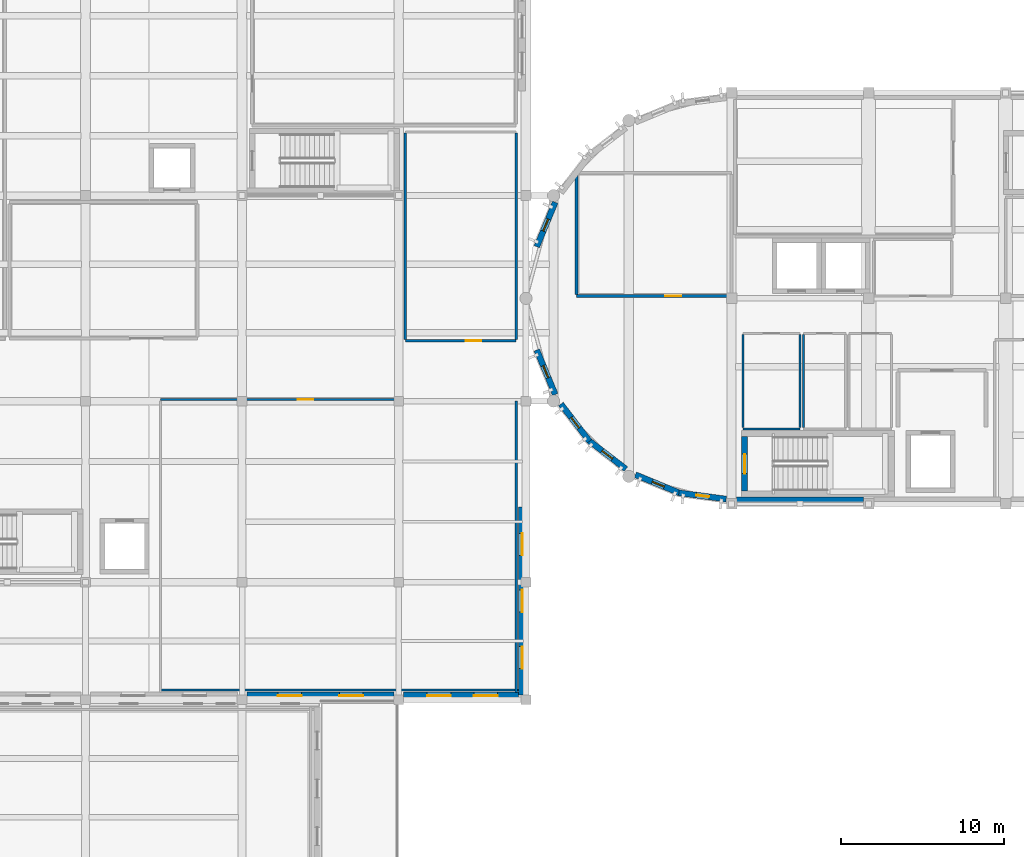
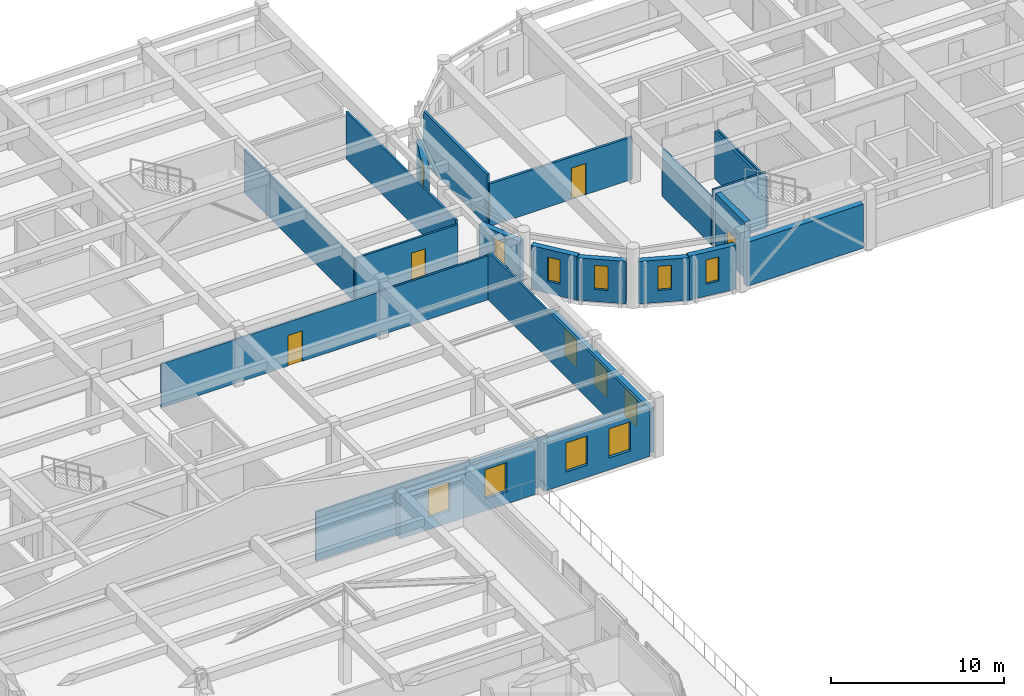
# One storey, part 13 of 31: 23 walls, 13 windows, 4 doors, 17 openings.
"""IFC4 building model written with IfcOpenShell, lengths in metres."""

from ifc_helpers import new_model, si_unit, direction, frame, frame_2d, origin, place, context, subcontext, project, spatial, rectangle, extrude, material, layer, layer_set, type_object, element, fill, save


model = new_model("IFC4")

# Units and contexts
model_context = context("Model", 3, precision=1e-05, world=origin(), true_north=direction((0.0, 1.0)))
body_context = subcontext(model_context, "Body", "Model", "MODEL_VIEW")
ifc_project = project(units=[si_unit("LENGTHUNIT", "METRE"), si_unit("AREAUNIT", "SQUARE_METRE"), si_unit("VOLUMEUNIT", "CUBIC_METRE"), si_unit("PLANEANGLEUNIT", "RADIAN"), si_unit("MASSUNIT", "GRAM", prefix="KILO")], contexts=[model_context])

# Site, building, storey
site_placement = place(None, origin())
site = spatial("IfcSite", under=ifc_project, at=site_placement, CompositionType="ELEMENT")
building_placement = place(site_placement, origin())
building = spatial("IfcBuilding", under=site, at=building_placement, Name="Tarnavel Promenade Courthouse", CompositionType="ELEMENT")
storey_placement = place(building_placement, frame((0.0, 0.0, 18.60009765625)))
storey = spatial("IfcBuildingStorey", under=building, at=storey_placement, Name="L05", CompositionType="ELEMENT", Elevation=18.60009765625)

# Wall, opening, door
ifc_material_1 = material(Name="Acoustic Insulated Gypsum Stud Partition", Category="gypsum")
ifc_layer_1 = layer(ifc_material_1, 0.1650390625)
ifc_layer_set_1 = layer_set([ifc_layer_1], Name="Acoustic Insulated Gypsum Stud Partition")
wall_type_1 = type_object("IfcWallType", Name="Acoustic Insulated Gypsum Stud Partition WL-CHM-165 (165 mm)", PredefinedType="PARTITIONING", material=ifc_layer_set_1)
wall_1_placement = place(storey_placement, frame((58.800048828125, 91.949951171875, 0.0), z_axis=(0.0, 0.0, 1.0), x_axis=(-1.0, 0.0, 0.0)))
wall_1 = element("IfcWall", 1, at=wall_1_placement, inside=storey, type_object=wall_type_1, Name="L05 L05 West Drum Rotunda Chambers North Partition 0740", PredefinedType="PARTITIONING", context=body_context, shape_type="SweptSolid", body=[
    extrude(rectangle(XDim=9.5, YDim=0.1650390625, at=frame_2d((4.75, 0.0))), origin(), (0.0, 0.0, 1.0), 2.989990234375),
])
opening_1_placement = place(wall_1_placement, frame((3.0869140625, 0.0, 0.0)))
opening_1 = element("IfcOpeningElement", 2, at=opening_1_placement, cuts=wall_1, Name="Opening ID-04", PredefinedType="OPENING", context=body_context, shape_type="SweptSolid", body=[
    extrude(rectangle(XDim=0.97998046875, YDim=2.199951171875, at=frame_2d((0.489990234375, 1.10009765625))), frame((0.0, 0.092529296875, 0.0), z_axis=(0.0, -1.0, 0.0), x_axis=(1.0, 0.0, 0.0)), (0.0, 0.0, 1.0), 0.18505859375),
])
ifc_material_2 = material(Name="Solid Oak Judges Chambers Door")
door_type_1 = type_object("IfcDoorType", Name="Solid Oak Judges Chambers Door (DR-CHM-0980x2200)", OperationType="NOTDEFINED", PredefinedType="DOOR", material=ifc_material_2)
door_1_placement = place(opening_1_placement, origin())
door_1 = element("IfcDoor", 3, at=door_1_placement, inside=storey, type_object=door_type_1, Name="L05 L05 West Drum Rotunda Chambers North Door 0212", OperationType="SINGLE_SWING_LEFT", OverallHeight=2.199951171875, OverallWidth=0.97998046875, PredefinedType="DOOR", context=body_context, shape_type="SweptSolid", body=[
    extrude(rectangle(XDim=0.97998046875, YDim=2.199951171875, at=frame_2d((0.489990234375, 1.10009765625))), frame((0.0, 0.02490234375, 0.0), z_axis=(0.0, -1.0, 0.0), x_axis=(1.0, 0.0, 0.0)), (0.0, 0.0, 1.0), 0.050048828125),
])
fill(opening_1, door_1)

# Wall
wall_2_placement = place(storey_placement, frame((49.300048828125, 92.04248046875, 0.0), z_axis=(0.0, 0.0, 1.0), x_axis=(0.0, 1.0, 0.0)))
element("IfcWall", 4, at=wall_2_placement, inside=storey, type_object=wall_type_1, Name="L05 L05 West Drum Rotunda Chambers North Partition 0741", PredefinedType="PARTITIONING", context=body_context, shape_type="SweptSolid", body=[
    extrude(rectangle(XDim=7.364990234375, YDim=0.1650390625, at=frame_2d((3.6826171875, 0.0))), origin(), (0.0, 0.0, 1.0), 3.58984375),
])

# Wall, opening, door
ifc_material_3 = material(Name="Concrete C40/50", Category="concrete")
ifc_layer_2 = layer(ifc_material_3, 0.360107421875)
ifc_layer_set_2 = layer_set([ifc_layer_2], Name="Concrete C40/50")
wall_type_2 = type_object("IfcWallType", Name="Concrete C40/50 WL-SHR-360 (360 mm)", PredefinedType="SHEAR", material=ifc_layer_set_2)
wall_3_placement = place(storey_placement, frame((59.60009765625, 79.97998046875, 0.0), z_axis=(0.0, 0.0, 1.0), x_axis=(0.0, 1.0, 0.0)))
wall_3 = element("IfcWall", 5, at=wall_3_placement, inside=storey, type_object=wall_type_2, Name="L05 ST-01 Shear Core West Landing Wall", PredefinedType="SHEAR", context=body_context, shape_type="SweptSolid", body=[
    extrude(rectangle(XDim=3.360107421875, YDim=0.360107421875, at=frame_2d((1.68017578125, 0.0))), origin(), (0.0, 0.0, 1.0), 3.9599609375),
])
opening_2_placement = place(wall_3_placement, frame((1.080078125, 0.0, 0.0)))
opening_2 = element("IfcOpeningElement", 6, at=opening_2_placement, cuts=wall_3, Name="Opening FD-02", PredefinedType="OPENING", context=body_context, shape_type="SweptSolid", body=[
    extrude(rectangle(XDim=1.199951171875, YDim=2.199951171875, at=frame_2d((0.60009765625, 1.10009765625))), frame((0.0, 0.18994140625, 0.0), z_axis=(0.0, -1.0, 0.0), x_axis=(1.0, 0.0, 0.0)), (0.0, 0.0, 1.0), 0.380126953125),
])
ifc_material_4 = material(Name="Steel Fire-Rated Firefighting Stair Door", Category="steel")
door_type_2 = type_object("IfcDoorType", Name="Steel Fire-Rated Firefighting Stair Door (DR-ST-1200x2200)", OperationType="NOTDEFINED", PredefinedType="DOOR", material=ifc_material_4)
door_2_placement = place(opening_2_placement, origin())
door_2 = element("IfcDoor", 7, at=door_2_placement, inside=storey, type_object=door_type_2, Name="L05 ST-01 Protected Exit Stair Door", OperationType="SINGLE_SWING_LEFT", OverallHeight=2.199951171875, OverallWidth=1.199951171875, PredefinedType="DOOR", context=body_context, shape_type="SweptSolid", body=[
    extrude(rectangle(XDim=1.199951171875, YDim=2.199951171875, at=frame_2d((0.60009765625, 1.10009765625))), frame((0.0, 0.02490234375, 0.0), z_axis=(0.0, -1.0, 0.0), x_axis=(1.0, 0.0, 0.0)), (0.0, 0.0, 1.0), 0.050048828125),
])
fill(opening_2, door_2)

# Wall
ifc_material_5 = material(Name="Cream Brick Insulated Cavity Facade Assembly", Category="masonry")
ifc_layer_3 = layer(ifc_material_5, 0.409912109375)
ifc_layer_set_3 = layer_set([ifc_layer_3], Name="Cream Brick Insulated Cavity Facade Assembly")
wall_type_3 = type_object("IfcWallType", Name="Cream Brick Insulated Cavity Facade Assembly WL-EXT-410 (410 mm)", PredefinedType="STANDARD", material=ifc_layer_set_3)
wall_4_placement = place(storey_placement, frame((66.883056640625, 79.419921875, 0.0), z_axis=(0.0, 0.0, 1.0), x_axis=(-1.0, 0.0, 0.0)))
element("IfcWall", 8, at=wall_4_placement, inside=storey, type_object=wall_type_3, Name="L05 Bar South Limestone Facade 0111", PredefinedType="STANDARD", context=body_context, shape_type="SweptSolid", body=[
    extrude(rectangle(XDim=7.76611328125, YDim=0.409912109375, at=frame_2d((3.883056640625, 0.0))), origin(), (0.0, 0.0, 1.0), 3.08984375),
])

# Wall, openings, windows
ifc_material_6 = material(Name="Limestone Ashlar Faced Insulated Brick Masonry", Category="masonry")
ifc_layer_4 = layer(ifc_material_6, 0.43994140625)
ifc_layer_set_4 = layer_set([ifc_layer_4], Name="Limestone Ashlar Faced Insulated Brick Masonry")
wall_type_4 = type_object("IfcWallType", Name="Limestone Ashlar Faced Insulated Brick Masonry WL-EXT-440 (440 mm)", PredefinedType="STANDARD", material=ifc_layer_set_4)
wall_5_placement = place(storey_placement, frame((38.10791015625, 67.43994140625, 0.0), z_axis=(0.0, 0.0, 1.0), x_axis=(-1.0, 0.0, 0.0)))
wall_5 = element("IfcWall", 9, at=wall_5_placement, inside=storey, type_object=wall_type_4, Name="L05 Trial Wing Upper South Facade 0325", PredefinedType="STANDARD", context=body_context, shape_type="SweptSolid", body=[
    extrude(rectangle(XDim=9.015869140625, YDim=0.43994140625, at=frame_2d((4.5078125, 0.0))), origin(), (0.0, 0.0, 1.0), 3.139892578125),
])
opening_3_placement = place(wall_5_placement, frame((1.89794921875, 0.0, 0.85009765625)))
opening_3 = element("IfcOpeningElement", 10, at=opening_3_placement, cuts=wall_5, Name="Opening W-03", PredefinedType="OPENING", context=body_context, shape_type="SweptSolid", body=[
    extrude(rectangle(XDim=1.449951171875, YDim=2.050048828125, at=frame_2d((0.72509765625, 1.02490234375))), frame((0.0, 0.22998046875, 0.0), z_axis=(0.0, -1.0, 0.0), x_axis=(1.0, 0.0, 0.0)), (0.0, 0.0, 1.0), 0.4599609375),
])
opening_4_placement = place(wall_5_placement, frame((5.66796875, 0.0, 0.85009765625)))
opening_4 = element("IfcOpeningElement", 11, at=opening_4_placement, cuts=wall_5, Name="Opening W-03", PredefinedType="OPENING", context=body_context, shape_type="SweptSolid", body=[
    extrude(rectangle(XDim=1.449951171875, YDim=2.050048828125, at=frame_2d((0.72509765625, 1.02490234375))), frame((0.0, 0.22998046875, 0.0), z_axis=(0.0, -1.0, 0.0), x_axis=(1.0, 0.0, 0.0)), (0.0, 0.0, 1.0), 0.4599609375),
])
ifc_material_7 = material(Name="Triple Low-E Glazed Bronze-Clad Window Assembly")
window_type_1 = type_object("IfcWindowType", Name="Triple-Glazed Bronze-Clad Timber-Aluminium WIN-APP-1450x2050", PartitioningType="SINGLE_PANEL", PredefinedType="WINDOW", material=ifc_material_7)
window_1_placement = place(opening_3_placement, origin())
window_1 = element("IfcWindow", 12, at=window_1_placement, inside=storey, type_object=window_type_1, Name="L05 Exterior Window 0359", OverallHeight=2.050048828125, OverallWidth=1.449951171875, PartitioningType="SINGLE_PANEL", PredefinedType="WINDOW", context=body_context, shape_type="SweptSolid", body=[
    extrude(rectangle(XDim=1.449951171875, YDim=2.050048828125, at=frame_2d((0.72509765625, 1.02490234375))), frame((0.0, 0.030029296875, 0.0), z_axis=(0.0, -1.0, 0.0), x_axis=(1.0, 0.0, 0.0)), (0.0, 0.0, 1.0), 0.06005859375),
])
fill(opening_3, window_1)
window_2_placement = place(opening_4_placement, origin())
window_2 = element("IfcWindow", 13, at=window_2_placement, inside=storey, type_object=window_type_1, Name="L05 Exterior Window 0360", OverallHeight=2.050048828125, OverallWidth=1.449951171875, PartitioningType="SINGLE_PANEL", PredefinedType="WINDOW", context=body_context, shape_type="SweptSolid", body=[
    extrude(rectangle(XDim=1.449951171875, YDim=2.050048828125, at=frame_2d((0.72509765625, 1.02490234375))), frame((0.0, 0.030029296875, 0.0), z_axis=(0.0, -1.0, 0.0), x_axis=(1.0, 0.0, 0.0)), (0.0, 0.0, 1.0), 0.06005859375),
])
fill(opening_4, window_2)

wall_6_placement = place(storey_placement, frame((45.748046875, 67.43994140625, 0.0), z_axis=(0.0, 0.0, 1.0), x_axis=(-1.0, 0.0, 0.0)))
wall_6 = element("IfcWall", 14, at=wall_6_placement, inside=storey, type_object=wall_type_4, Name="L05 Trial Wing Upper South Facade 0326", PredefinedType="STANDARD", context=body_context, shape_type="SweptSolid", body=[
    extrude(rectangle(XDim=7.06103515625, YDim=0.43994140625, at=frame_2d((3.530517578125, 0.0))), origin(), (0.0, 0.0, 1.0), 3.35986328125),
])
opening_5_placement = place(wall_6_placement, frame((1.2880859375, 0.0, 0.85009765625)))
opening_5 = element("IfcOpeningElement", 15, at=opening_5_placement, cuts=wall_6, Name="Opening W-03", PredefinedType="OPENING", context=body_context, shape_type="SweptSolid", body=[
    extrude(rectangle(XDim=1.449951171875, YDim=2.050048828125, at=frame_2d((0.72509765625, 1.02490234375))), frame((0.0, 0.22998046875, 0.0), z_axis=(0.0, -1.0, 0.0), x_axis=(1.0, 0.0, 0.0)), (0.0, 0.0, 1.0), 0.4599609375),
])
opening_6_placement = place(wall_6_placement, frame((4.157958984375, 0.0, 0.85009765625)))
opening_6 = element("IfcOpeningElement", 16, at=opening_6_placement, cuts=wall_6, Name="Opening W-03", PredefinedType="OPENING", context=body_context, shape_type="SweptSolid", body=[
    extrude(rectangle(XDim=1.449951171875, YDim=2.050048828125, at=frame_2d((0.72509765625, 1.02490234375))), frame((0.0, 0.22998046875, 0.0), z_axis=(0.0, -1.0, 0.0), x_axis=(1.0, 0.0, 0.0)), (0.0, 0.0, 1.0), 0.4599609375),
])
window_3_placement = place(opening_5_placement, origin())
window_3 = element("IfcWindow", 17, at=window_3_placement, inside=storey, type_object=window_type_1, Name="L05 Exterior Window 0361", OverallHeight=2.050048828125, OverallWidth=1.449951171875, PartitioningType="SINGLE_PANEL", PredefinedType="WINDOW", context=body_context, shape_type="SweptSolid", body=[
    extrude(rectangle(XDim=1.449951171875, YDim=2.050048828125, at=frame_2d((0.72509765625, 1.02490234375))), frame((0.0, 0.030029296875, 0.0), z_axis=(0.0, -1.0, 0.0), x_axis=(1.0, 0.0, 0.0)), (0.0, 0.0, 1.0), 0.06005859375),
])
fill(opening_5, window_3)
window_4_placement = place(opening_6_placement, origin())
window_4 = element("IfcWindow", 18, at=window_4_placement, inside=storey, type_object=window_type_1, Name="L05 Exterior Window 0362", OverallHeight=2.050048828125, OverallWidth=1.449951171875, PartitioningType="SINGLE_PANEL", PredefinedType="WINDOW", context=body_context, shape_type="SweptSolid", body=[
    extrude(rectangle(XDim=1.449951171875, YDim=2.050048828125, at=frame_2d((0.72509765625, 1.02490234375))), frame((0.0, 0.030029296875, 0.0), z_axis=(0.0, -1.0, 0.0), x_axis=(1.0, 0.0, 0.0)), (0.0, 0.0, 1.0), 0.06005859375),
])
fill(opening_6, window_4)

wall_7_placement = place(storey_placement, frame((45.9599609375, 67.5, 0.0), z_axis=(0.0, 0.0, 1.0), x_axis=(0.0, 1.0, 0.0)))
wall_7 = element("IfcWall", 19, at=wall_7_placement, inside=storey, type_object=wall_type_4, Name="L05 L05 Trial Wing South-East Stepback Wall 0447", PredefinedType="STANDARD", context=body_context, shape_type="SweptSolid", body=[
    extrude(rectangle(XDim=11.5, YDim=0.43994140625, at=frame_2d((5.75, 0.0))), origin(), (0.0, 0.0, 1.0), 3.139892578125),
])
opening_7_placement = place(wall_7_placement, frame((1.6083984375, 0.0, 0.85009765625)))
opening_7 = element("IfcOpeningElement", 20, at=opening_7_placement, cuts=wall_7, Name="Opening W-04", PredefinedType="OPENING", context=body_context, shape_type="SweptSolid", body=[
    extrude(rectangle(XDim=1.35009765625, YDim=1.949951171875, at=frame_2d((0.675048828125, 0.97509765625))), frame((0.0, 0.22998046875, 0.0), z_axis=(0.0, -1.0, 0.0), x_axis=(1.0, 0.0, 0.0)), (0.0, 0.0, 1.0), 0.4599609375),
])
opening_8_placement = place(wall_7_placement, frame((5.074951171875, 0.0, 0.85009765625)))
opening_8 = element("IfcOpeningElement", 21, at=opening_8_placement, cuts=wall_7, Name="Opening W-04", PredefinedType="OPENING", context=body_context, shape_type="SweptSolid", body=[
    extrude(rectangle(XDim=1.35009765625, YDim=1.949951171875, at=frame_2d((0.675048828125, 0.97509765625))), frame((0.0, 0.22998046875, 0.0), z_axis=(0.0, -1.0, 0.0), x_axis=(1.0, 0.0, 0.0)), (0.0, 0.0, 1.0), 0.4599609375),
])
opening_9_placement = place(wall_7_placement, frame((8.541748046875, 0.0, 0.85009765625)))
opening_9 = element("IfcOpeningElement", 22, at=opening_9_placement, cuts=wall_7, Name="Opening W-04", PredefinedType="OPENING", context=body_context, shape_type="SweptSolid", body=[
    extrude(rectangle(XDim=1.35009765625, YDim=1.949951171875, at=frame_2d((0.675048828125, 0.97509765625))), frame((0.0, 0.22998046875, 0.0), z_axis=(0.0, -1.0, 0.0), x_axis=(1.0, 0.0, 0.0)), (0.0, 0.0, 1.0), 0.4599609375),
])
window_type_2 = type_object("IfcWindowType", Name="Triple-Glazed Bronze-Clad Timber-Aluminium WIN-CHM-1350x1950", PartitioningType="SINGLE_PANEL", PredefinedType="WINDOW", material=ifc_material_7)
window_5_placement = place(opening_7_placement, origin())
window_5 = element("IfcWindow", 23, at=window_5_placement, inside=storey, type_object=window_type_2, Name="L05 Exterior Window 0569", OverallHeight=1.949951171875, OverallWidth=1.35009765625, PartitioningType="SINGLE_PANEL", PredefinedType="WINDOW", context=body_context, shape_type="SweptSolid", body=[
    extrude(rectangle(XDim=1.35009765625, YDim=1.949951171875, at=frame_2d((0.675048828125, 0.97509765625))), frame((0.0, 0.030029296875, 0.0), z_axis=(0.0, -1.0, 0.0), x_axis=(1.0, 0.0, 0.0)), (0.0, 0.0, 1.0), 0.06005859375),
])
fill(opening_7, window_5)
window_6_placement = place(opening_8_placement, origin())
window_6 = element("IfcWindow", 24, at=window_6_placement, inside=storey, type_object=window_type_2, Name="L05 Exterior Window 0570", OverallHeight=1.949951171875, OverallWidth=1.35009765625, PartitioningType="SINGLE_PANEL", PredefinedType="WINDOW", context=body_context, shape_type="SweptSolid", body=[
    extrude(rectangle(XDim=1.35009765625, YDim=1.949951171875, at=frame_2d((0.675048828125, 0.97509765625))), frame((0.0, 0.030029296875, 0.0), z_axis=(0.0, -1.0, 0.0), x_axis=(1.0, 0.0, 0.0)), (0.0, 0.0, 1.0), 0.06005859375),
])
fill(opening_8, window_6)
window_7_placement = place(opening_9_placement, origin())
window_7 = element("IfcWindow", 25, at=window_7_placement, inside=storey, type_object=window_type_2, Name="L05 Exterior Window 0571", OverallHeight=1.949951171875, OverallWidth=1.35009765625, PartitioningType="SINGLE_PANEL", PredefinedType="WINDOW", context=body_context, shape_type="SweptSolid", body=[
    extrude(rectangle(XDim=1.35009765625, YDim=1.949951171875, at=frame_2d((0.675048828125, 0.97509765625))), frame((0.0, 0.030029296875, 0.0), z_axis=(0.0, -1.0, 0.0), x_axis=(1.0, 0.0, 0.0)), (0.0, 0.0, 1.0), 0.06005859375),
])
fill(opening_9, window_7)

# Walls
ifc_material_8 = material(Name="Metal-Stud Acoustic Gypsum Partition", Category="gypsum")
ifc_layer_5 = layer(ifc_material_8, 0.135009765625)
ifc_layer_set_5 = layer_set([ifc_layer_5], Name="Metal-Stud Acoustic Gypsum Partition")
wall_type_5 = type_object("IfcWallType", Name="Metal-Stud Acoustic Gypsum Partition WL-OFF-135 (135 mm)", PredefinedType="PARTITIONING", material=ifc_layer_set_5)
wall_8_placement = place(storey_placement, frame((63.0, 83.800048828125, 0.0), z_axis=(0.0, 0.0, 1.0), x_axis=(-1.0, 0.0, 0.0)))
element("IfcWall", 26, at=wall_8_placement, inside=storey, type_object=wall_type_5, Name="L05 L05 Bailiffs' Duty Room Partition 0679", PredefinedType="PARTITIONING", context=body_context, shape_type="SweptSolid", body=[
    extrude(rectangle(XDim=3.5, YDim=0.135009765625, at=frame_2d((1.75, 0.0))), origin(), (0.0, 0.0, 1.0), 3.94482421875),
])
for number, where, z_axis, x_axis, name in (
    (27, (59.5, 83.87744140625, 0.0), (0.0, 0.0, 1.0), (0.0, 1.0, 0.0), "L05 L05 Bailiffs' Duty Room Partition 0680"),
    (28, (63.0, 89.572509765625, 0.0), (0.0, 0.0, 1.0), (0.0, -1.0, 0.0), "L05 L05 Bailiffs' Duty Room Partition 0681"),
):
    element("IfcWall", number, at=place(storey_placement, frame(where, z_axis=z_axis, x_axis=x_axis)), inside=storey, type_object=wall_type_5, Name=name, PredefinedType="PARTITIONING", context=body_context, shape_type="SweptSolid", body=[
        extrude(rectangle(XDim=5.695068359375, YDim=0.135009765625, at=frame_2d((2.84765625, 0.0))), origin(), (0.0, 0.0, 1.0), 3.33984375),
    ])

# Wall, opening, door
wall_9_placement = place(storey_placement, frame((45.60009765625, 89.199951171875, 0.0), z_axis=(0.0, 0.0, 1.0), x_axis=(-1.0, 0.0, 0.0)))
wall_9 = element("IfcWall", 29, at=wall_9_placement, inside=storey, type_object=wall_type_5, Name="L05 L05 Witness Waiting Room Partition 0696", PredefinedType="PARTITIONING", context=body_context, shape_type="SweptSolid", body=[
    extrude(rectangle(XDim=6.800048828125, YDim=0.135009765625, at=frame_2d((3.39990234375, 0.0))), origin(), (0.0, 0.0, 1.0), 3.08984375),
])
opening_10_placement = place(wall_9_placement, frame((2.152587890625, 0.0, 0.0)))
opening_10 = element("IfcOpeningElement", 30, at=opening_10_placement, cuts=wall_9, Name="Opening ID-06", PredefinedType="OPENING", context=body_context, shape_type="SweptSolid", body=[
    extrude(rectangle(XDim=0.949951171875, YDim=2.14990234375, at=frame_2d((0.47509765625, 1.074951171875))), frame((0.0, 0.077392578125, 0.0), z_axis=(0.0, -1.0, 0.0), x_axis=(1.0, 0.0, 0.0)), (0.0, 0.0, 1.0), 0.155029296875),
])
ifc_material_9 = material(Name="Acoustic Timber Veneer Office Door", Category="wood")
door_type_3 = type_object("IfcDoorType", Name="Acoustic Timber Veneer Office Door (DR-OFF-0950x2150)", OperationType="NOTDEFINED", PredefinedType="DOOR", material=ifc_material_9)
door_3_placement = place(opening_10_placement, origin())
door_3 = element("IfcDoor", 31, at=door_3_placement, inside=storey, type_object=door_type_3, Name="L05 L05 Witness Waiting Room Door 0199", OperationType="SINGLE_SWING_LEFT", OverallHeight=2.14990234375, OverallWidth=0.949951171875, PredefinedType="DOOR", context=body_context, shape_type="SweptSolid", body=[
    extrude(rectangle(XDim=0.949951171875, YDim=2.14990234375, at=frame_2d((0.47509765625, 1.074951171875))), frame((0.0, 0.02490234375, 0.0), z_axis=(0.0, -1.0, 0.0), x_axis=(1.0, 0.0, 0.0)), (0.0, 0.0, 1.0), 0.050048828125),
])
fill(opening_10, door_3)

# Walls
wall_10_placement = place(storey_placement, frame((38.800048828125, 89.277587890625, 0.0), z_axis=(0.0, 0.0, 1.0), x_axis=(0.0, 1.0, 0.0)))
element("IfcWall", 32, at=wall_10_placement, inside=storey, type_object=wall_type_5, Name="L05 L05 Witness Waiting Room Partition 0697", PredefinedType="PARTITIONING", context=body_context, shape_type="SweptSolid", body=[
    extrude(rectangle(XDim=12.64501953125, YDim=0.135009765625, at=frame_2d((6.322509765625, 0.0))), origin(), (0.0, 0.0, 1.0), 3.039794921875),
])
wall_11_placement = place(storey_placement, frame((45.60009765625, 101.922607421875, 0.0), z_axis=(0.0, 0.0, 1.0), x_axis=(0.0, -1.0, 0.0)))
element("IfcWall", 33, at=wall_11_placement, inside=storey, type_object=wall_type_5, Name="L05 L05 Witness Waiting Room Partition 0698", PredefinedType="PARTITIONING", context=body_context, shape_type="SweptSolid", body=[
    extrude(rectangle(XDim=12.64501953125, YDim=0.135009765625, at=frame_2d((6.322509765625, 0.0))), origin(), (0.0, 0.0, 1.0), 3.33984375),
])

# Wall, opening, door
wall_12_placement = place(storey_placement, frame((23.800048828125, 85.60009765625, 0.0), z_axis=(0.0, 0.0, 1.0), x_axis=(1.0, 0.0, 0.0)))
wall_12 = element("IfcWall", 34, at=wall_12_placement, inside=storey, type_object=wall_type_5, Name="L05 Senior Judicial Clerks' Office Partition 0702", PredefinedType="PARTITIONING", context=body_context, shape_type="SweptSolid", body=[
    extrude(rectangle(XDim=21.800048828125, YDim=0.135009765625, at=frame_2d((10.89990234375, 0.0))), origin(), (0.0, 0.0, 1.0), 3.08984375),
])
opening_11_placement = place(wall_12_placement, frame((8.409912109375, 0.0, 0.0)))
opening_11 = element("IfcOpeningElement", 35, at=opening_11_placement, cuts=wall_12, Name="Opening ID-06", PredefinedType="OPENING", context=body_context, shape_type="SweptSolid", body=[
    extrude(rectangle(XDim=0.949951171875, YDim=2.14990234375, at=frame_2d((0.47509765625, 1.074951171875))), frame((0.0, 0.077392578125, 0.0), z_axis=(0.0, -1.0, 0.0), x_axis=(1.0, 0.0, 0.0)), (0.0, 0.0, 1.0), 0.155029296875),
])
door_4_placement = place(opening_11_placement, origin())
door_4 = element("IfcDoor", 36, at=door_4_placement, inside=storey, type_object=door_type_3, Name="L05 Senior Judicial Clerks' Office Door 0201", OperationType="SINGLE_SWING_LEFT", OverallHeight=2.14990234375, OverallWidth=0.949951171875, PredefinedType="DOOR", context=body_context, shape_type="SweptSolid", body=[
    extrude(rectangle(XDim=0.949951171875, YDim=2.14990234375, at=frame_2d((0.47509765625, 1.074951171875))), frame((0.0, 0.02490234375, 0.0), z_axis=(0.0, -1.0, 0.0), x_axis=(1.0, 0.0, 0.0)), (0.0, 0.0, 1.0), 0.050048828125),
])
fill(opening_11, door_4)

# Walls
wall_13_placement = place(storey_placement, frame((45.74609375, 67.800048828125, 0.0), z_axis=(0.0, 0.0, 1.0), x_axis=(-1.0, 0.0, 0.0)))
element("IfcWall", 37, at=wall_13_placement, inside=storey, type_object=wall_type_5, Name="L05 Senior Judicial Clerks' Office Partition 0703", PredefinedType="PARTITIONING", context=body_context, shape_type="SweptSolid", body=[
    extrude(rectangle(XDim=21.946044921875, YDim=0.135009765625, at=frame_2d((10.97314453125, 0.0))), origin(), (0.0, 0.0, 1.0), 3.4599609375),
])
wall_14_placement = place(storey_placement, frame((45.60009765625, 85.5224609375, 0.0), z_axis=(0.0, 0.0, 1.0), x_axis=(0.0, -1.0, 0.0)))
element("IfcWall", 38, at=wall_14_placement, inside=storey, type_object=wall_type_5, Name="L05 Senior Judicial Clerks' Office Partition 0705", PredefinedType="PARTITIONING", context=body_context, shape_type="SweptSolid", body=[
    extrude(rectangle(XDim=17.868408203125, YDim=0.135009765625, at=frame_2d((8.93408203125, 0.0))), origin(), (0.0, 0.0, 1.0), 3.389892578125),
])
ifc_material_10 = material(Name="Moisture-Resistant Tile-Backed Stud Partition", Category="gypsum")
ifc_layer_6 = layer(ifc_material_10, 0.125)
ifc_layer_set_6 = layer_set([ifc_layer_6], Name="Moisture-Resistant Tile-Backed Stud Partition")
wall_type_6 = type_object("IfcWallType", Name="Moisture-Resistant Tile-Backed Stud Partition WL-WET-125 (125 mm)", PredefinedType="PARTITIONING", material=ifc_layer_set_6)
wall_15_placement = place(storey_placement, frame((63.199951171875, 83.87255859375, 0.0), z_axis=(0.0, 0.0, 1.0), x_axis=(0.0, 1.0, 0.0)))
element("IfcWall", 39, at=wall_15_placement, inside=storey, type_object=wall_type_6, Name="L05 Public WC Partition 0664", PredefinedType="PARTITIONING", context=body_context, shape_type="SweptSolid", body=[
    extrude(rectangle(XDim=5.704833984375, YDim=0.125, at=frame_2d((2.8525390625, 0.0))), origin(), (0.0, 0.0, 1.0), 3.33984375),
])

# Wall, opening, window
ifc_material_11 = material(Name="Patinated Copper-Bronze Insulated Drum Wall Assembly", Category="masonry")
ifc_layer_7 = layer(ifc_material_11, 0.364990234375)
ifc_layer_set_7 = layer_set([ifc_layer_7], Name="Patinated Copper-Bronze Insulated Drum Wall Assembly")
wall_type_7 = type_object("IfcWallType", Name="Patinated Copper-Bronze Insulated Drum Wall Assembly WL-DRUM-365 (365 mm)", PredefinedType="ELEMENTEDWALL", material=ifc_layer_set_7)
wall_16_placement = place(storey_placement, frame((47.989990234375, 97.69287109375, 0.0), z_axis=(0.0, 0.0, 1.0), x_axis=(-0.382670746546, -0.923884787047, 0.0)))
wall_16 = element("IfcWall", 40, at=wall_16_placement, inside=storey, type_object=wall_type_7, Name="L05 W Copper Drum Chord Wall 05 0120", PredefinedType="ELEMENTEDWALL", context=body_context, shape_type="SweptSolid", body=[
    extrude(rectangle(XDim=2.951904296875, YDim=0.364990234375, at=frame_2d((1.47607421875, 0.0))), origin(), (0.0, 0.0, 1.0), 3.08984375),
])
opening_12_placement = place(wall_16_placement, frame((1.114990234375, 0.0, 0.85009765625)))
opening_12 = element("IfcOpeningElement", 41, at=opening_12_placement, cuts=wall_16, Name="Opening W-09", PredefinedType="OPENING", context=body_context, shape_type="SweptSolid", body=[
    extrude(rectangle(XDim=0.800048828125, YDim=1.699951171875, at=frame_2d((0.39990234375, 0.85009765625))), frame((0.0, 0.1923828125, 0.0), z_axis=(0.0, -1.0, 0.0), x_axis=(1.0, 0.0, 0.0)), (0.0, 0.0, 1.0), 0.385009765625),
])
window_type_3 = type_object("IfcWindowType", Name="Triple-Glazed Bronze-Clad Timber-Aluminium WIN-DRM-0800x1700", PartitioningType="SINGLE_PANEL", PredefinedType="WINDOW", material=ifc_material_7)
window_8_placement = place(opening_12_placement, origin())
window_8 = element("IfcWindow", 42, at=window_8_placement, inside=storey, type_object=window_type_3, Name="L05 Exterior Window 0085", OverallHeight=1.699951171875, OverallWidth=0.800048828125, PartitioningType="SINGLE_PANEL", PredefinedType="WINDOW", context=body_context, shape_type="SweptSolid", body=[
    extrude(rectangle(XDim=0.800048828125, YDim=1.699951171875, at=frame_2d((0.39990234375, 0.85009765625))), frame((0.0, 0.030029296875, 0.0), z_axis=(0.0, -1.0, 0.0), x_axis=(1.0, 0.0, 0.0)), (0.0, 0.0, 1.0), 0.06005859375),
])
fill(opening_12, window_8)

wall_17_placement = place(storey_placement, frame((46.8603515625, 88.634521484375, 0.0), z_axis=(0.0, 0.0, 1.0), x_axis=(0.382641509163, -0.923896896556, 0.0)))
wall_17 = element("IfcWall", 43, at=wall_17_placement, inside=storey, type_object=wall_type_7, Name="L05 W Copper Drum Chord Wall 08 0121", PredefinedType="ELEMENTEDWALL", context=body_context, shape_type="SweptSolid", body=[
    extrude(rectangle(XDim=2.9521484375, YDim=0.364990234375, at=frame_2d((1.47607421875, 0.0))), origin(), (0.0, 0.0, 1.0), 3.08984375),
])
opening_13_placement = place(wall_17_placement, frame((1.037109375, 0.0, 0.85009765625)))
opening_13 = element("IfcOpeningElement", 44, at=opening_13_placement, cuts=wall_17, Name="Opening W-09", PredefinedType="OPENING", context=body_context, shape_type="SweptSolid", body=[
    extrude(rectangle(XDim=0.800048828125, YDim=1.699951171875, at=frame_2d((0.39990234375, 0.85009765625))), frame((0.0, 0.1923828125, 0.0), z_axis=(0.0, -1.0, 0.0), x_axis=(1.0, 0.0, 0.0)), (0.0, 0.0, 1.0), 0.385009765625),
])
window_9_placement = place(opening_13_placement, origin())
window_9 = element("IfcWindow", 45, at=window_9_placement, inside=storey, type_object=window_type_3, Name="L05 Exterior Window 0086", OverallHeight=1.699951171875, OverallWidth=0.800048828125, PartitioningType="SINGLE_PANEL", PredefinedType="WINDOW", context=body_context, shape_type="SweptSolid", body=[
    extrude(rectangle(XDim=0.800048828125, YDim=1.699951171875, at=frame_2d((0.39990234375, 0.85009765625))), frame((0.0, 0.030029296875, 0.0), z_axis=(0.0, -1.0, 0.0), x_axis=(1.0, 0.0, 0.0)), (0.0, 0.0, 1.0), 0.06005859375),
])
fill(opening_13, window_9)

wall_18_placement = place(storey_placement, frame((48.339111328125, 85.322998046875, 0.0), z_axis=(0.0, 0.0, 1.0), x_axis=(0.608729278603, -0.79337800913, 0.0)))
wall_18 = element("IfcWall", 46, at=wall_18_placement, inside=storey, type_object=wall_type_7, Name="L05 W Copper Drum Chord Wall 09 0122", PredefinedType="ELEMENTEDWALL", context=body_context, shape_type="SweptSolid", body=[
    extrude(rectangle(XDim=2.87451171875, YDim=0.364990234375, at=frame_2d((1.437255859375, 0.0))), origin(), (0.0, 0.0, 1.0), 3.08984375),
])
opening_14_placement = place(wall_18_placement, frame((1.037109375, 0.0, 0.85009765625)))
opening_14 = element("IfcOpeningElement", 47, at=opening_14_placement, cuts=wall_18, Name="Opening W-09", PredefinedType="OPENING", context=body_context, shape_type="SweptSolid", body=[
    extrude(rectangle(XDim=0.800048828125, YDim=1.699951171875, at=frame_2d((0.39990234375, 0.85009765625))), frame((0.0, 0.1923828125, 0.0), z_axis=(0.0, -1.0, 0.0), x_axis=(1.0, 0.0, 0.0)), (0.0, 0.0, 1.0), 0.385009765625),
])
window_10_placement = place(opening_14_placement, origin())
window_10 = element("IfcWindow", 48, at=window_10_placement, inside=storey, type_object=window_type_3, Name="L05 Exterior Window 0087", OverallHeight=1.699951171875, OverallWidth=0.800048828125, PartitioningType="SINGLE_PANEL", PredefinedType="WINDOW", context=body_context, shape_type="SweptSolid", body=[
    extrude(rectangle(XDim=0.800048828125, YDim=1.699951171875, at=frame_2d((0.39990234375, 0.85009765625))), frame((0.0, 0.030029296875, 0.0), z_axis=(0.0, -1.0, 0.0), x_axis=(1.0, 0.0, 0.0)), (0.0, 0.0, 1.0), 0.06005859375),
])
fill(opening_14, window_10)

wall_19_placement = place(storey_placement, frame((50.042724609375, 83.0888671875, 0.0), z_axis=(0.0, 0.0, 1.0), x_axis=(0.793346533164, -0.608770300127, 0.0)))
wall_19 = element("IfcWall", 49, at=wall_19_placement, inside=storey, type_object=wall_type_7, Name="L05 W Copper Drum Chord Wall 10 0123", PredefinedType="ELEMENTEDWALL", context=body_context, shape_type="SweptSolid", body=[
    extrude(rectangle(XDim=2.874267578125, YDim=0.364990234375, at=frame_2d((1.43701171875, 0.0))), origin(), (0.0, 0.0, 1.0), 2.989990234375),
])
opening_15_placement = place(wall_19_placement, frame((1.037109375, 0.0, 0.85009765625)))
opening_15 = element("IfcOpeningElement", 50, at=opening_15_placement, cuts=wall_19, Name="Opening W-09", PredefinedType="OPENING", context=body_context, shape_type="SweptSolid", body=[
    extrude(rectangle(XDim=0.800048828125, YDim=1.699951171875, at=frame_2d((0.39990234375, 0.85009765625))), frame((0.0, 0.1923828125, 0.0), z_axis=(0.0, -1.0, 0.0), x_axis=(1.0, 0.0, 0.0)), (0.0, 0.0, 1.0), 0.385009765625),
])
window_11_placement = place(opening_15_placement, origin())
window_11 = element("IfcWindow", 51, at=window_11_placement, inside=storey, type_object=window_type_3, Name="L05 Exterior Window 0088", OverallHeight=1.699951171875, OverallWidth=0.800048828125, PartitioningType="SINGLE_PANEL", PredefinedType="WINDOW", context=body_context, shape_type="SweptSolid", body=[
    extrude(rectangle(XDim=0.800048828125, YDim=1.699951171875, at=frame_2d((0.39990234375, 0.85009765625))), frame((0.0, 0.030029296875, 0.0), z_axis=(0.0, -1.0, 0.0), x_axis=(1.0, 0.0, 0.0)), (0.0, 0.0, 1.0), 0.06005859375),
])
fill(opening_15, window_11)

wall_20_placement = place(storey_placement, frame((52.906982421875, 80.989990234375, 0.0), z_axis=(0.0, 0.0, 1.0), x_axis=(0.923896896556, -0.382641509163, 0.0)))
wall_20 = element("IfcWall", 52, at=wall_20_placement, inside=storey, type_object=wall_type_7, Name="L05 W Copper Drum Chord Wall 11 0124", PredefinedType="ELEMENTEDWALL", context=body_context, shape_type="SweptSolid", body=[
    extrude(rectangle(XDim=2.9521484375, YDim=0.364990234375, at=frame_2d((1.47607421875, 0.0))), origin(), (0.0, 0.0, 1.0), 2.989990234375),
])
opening_16_placement = place(wall_20_placement, frame((1.114990234375, 0.0, 0.85009765625)))
opening_16 = element("IfcOpeningElement", 53, at=opening_16_placement, cuts=wall_20, Name="Opening W-09", PredefinedType="OPENING", context=body_context, shape_type="SweptSolid", body=[
    extrude(rectangle(XDim=0.800048828125, YDim=1.699951171875, at=frame_2d((0.39990234375, 0.85009765625))), frame((0.0, 0.1923828125, 0.0), z_axis=(0.0, -1.0, 0.0), x_axis=(1.0, 0.0, 0.0)), (0.0, 0.0, 1.0), 0.385009765625),
])
window_12_placement = place(opening_16_placement, origin())
window_12 = element("IfcWindow", 54, at=window_12_placement, inside=storey, type_object=window_type_3, Name="L05 Exterior Window 0089", OverallHeight=1.699951171875, OverallWidth=0.800048828125, PartitioningType="SINGLE_PANEL", PredefinedType="WINDOW", context=body_context, shape_type="SweptSolid", body=[
    extrude(rectangle(XDim=0.800048828125, YDim=1.699951171875, at=frame_2d((0.39990234375, 0.85009765625))), frame((0.0, 0.030029296875, 0.0), z_axis=(0.0, -1.0, 0.0), x_axis=(1.0, 0.0, 0.0)), (0.0, 0.0, 1.0), 0.06005859375),
])
fill(opening_16, window_12)

wall_21_placement = place(storey_placement, frame((55.571533203125, 79.877197265625, 0.0), z_axis=(0.0, 0.0, 1.0), x_axis=(0.99144889538, -0.13049554724, 0.0)))
wall_21 = element("IfcWall", 55, at=wall_21_placement, inside=storey, type_object=wall_type_7, Name="L05 W Copper Drum Chord Wall 12 0125", PredefinedType="ELEMENTEDWALL", context=body_context, shape_type="SweptSolid", body=[
    extrude(rectangle(XDim=2.924072265625, YDim=0.364990234375, at=frame_2d((1.4619140625, 0.0))), origin(), (0.0, 0.0, 1.0), 3.08984375),
])
opening_17_placement = place(wall_21_placement, frame((1.06201171875, 0.0, 0.85009765625)))
opening_17 = element("IfcOpeningElement", 56, at=opening_17_placement, cuts=wall_21, Name="Opening W-09", PredefinedType="OPENING", context=body_context, shape_type="SweptSolid", body=[
    extrude(rectangle(XDim=0.800048828125, YDim=1.699951171875, at=frame_2d((0.39990234375, 0.85009765625))), frame((0.0, 0.1923828125, 0.0), z_axis=(0.0, -1.0, 0.0), x_axis=(1.0, 0.0, 0.0)), (0.0, 0.0, 1.0), 0.385009765625),
])
window_13_placement = place(opening_17_placement, origin())
window_13 = element("IfcWindow", 57, at=window_13_placement, inside=storey, type_object=window_type_3, Name="L05 Exterior Window 0090", OverallHeight=1.699951171875, OverallWidth=0.800048828125, PartitioningType="SINGLE_PANEL", PredefinedType="WINDOW", context=body_context, shape_type="SweptSolid", body=[
    extrude(rectangle(XDim=0.800048828125, YDim=1.699951171875, at=frame_2d((0.39990234375, 0.85009765625))), frame((0.0, 0.030029296875, 0.0), z_axis=(0.0, -1.0, 0.0), x_axis=(1.0, 0.0, 0.0)), (0.0, 0.0, 1.0), 0.06005859375),
])
fill(opening_17, window_13)

save(model, "model.ifc")
